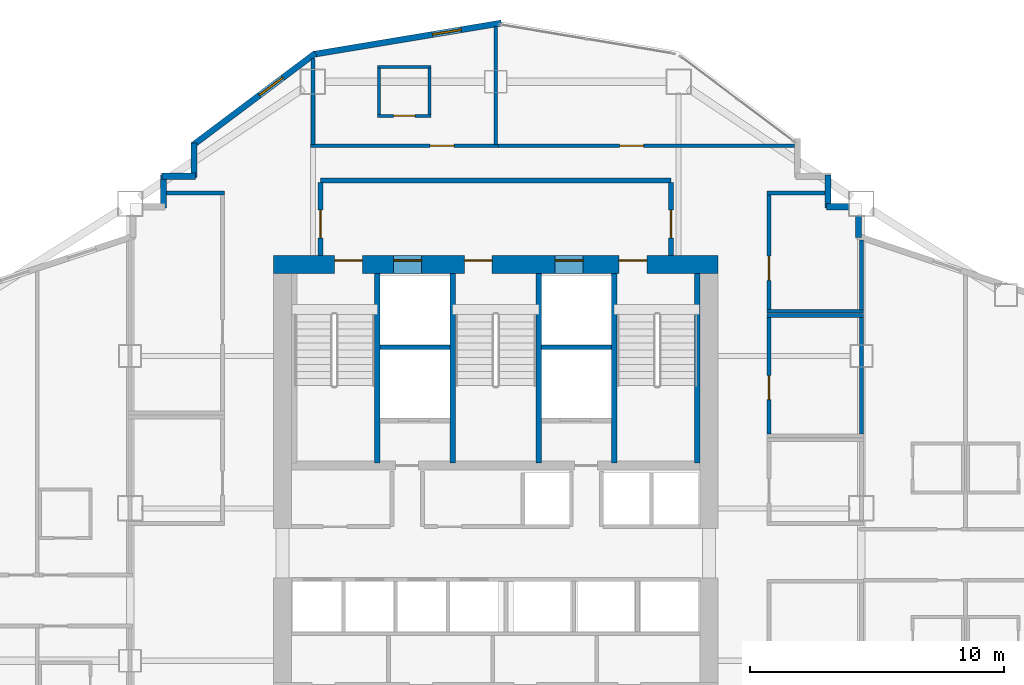
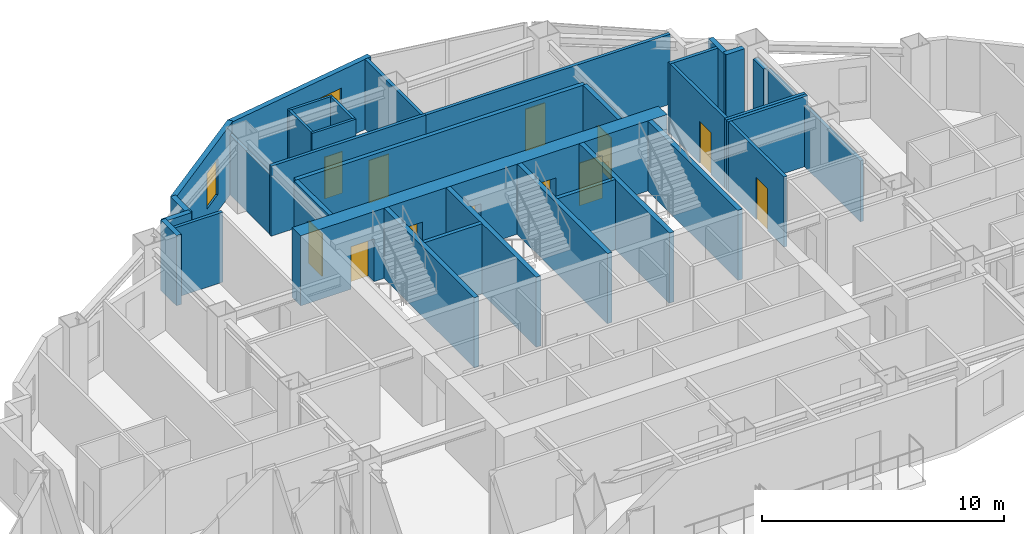
# One storey, part 12 of 15: 35 walls, 12 doors, 2 windows, 14 openings.
"""IFC4 building model written with IfcOpenShell, lengths in metres."""

import ifcopenshell
import ifcopenshell.guid

model = None  # the IFC model being written
_history = None  # IfcOwnerHistory: only IFC2X3 demands one
_inside = {}  # id of a spatial element -> (the spatial element, [elements in it])
_under = {}  # id of a project, library or spatial element -> (it, [spatial elements below it])
_declared = {}  # id of a project -> (the project, [libraries it declares])
_typed = {}  # id of a type object -> (the type object, [elements of that type])
_made_of = {}  # id of a material, layer set ... -> (it, [elements and type objects made of it])


def new_model(schema):
    """Start an empty IFC model of exactly this schema.

    Asked for "IFC4X3", IfcOpenShell would pick the latest addendum, in which some entities
    have other attributes; the version numbers below select the first issue.
    IFC2X3 requires an IfcOwnerHistory on every rooted entity: one is made here for all.
    """
    global model, _history
    if schema == "IFC4X3":
        model = ifcopenshell.file(schema_version=(4, 3, 0, 0))
    else:
        model = ifcopenshell.file(schema=schema)
    _inside.clear()
    _under.clear()
    _declared.clear()
    _typed.clear()
    _made_of.clear()
    _history = None
    if model.schema == "IFC2X3":
        org = make("IfcOrganization", Name="unknown")
        user = make(
            "IfcPersonAndOrganization",
            ThePerson=make("IfcPerson", FamilyName="unknown"),
            TheOrganization=org,
        )
        app = make(
            "IfcApplication",
            ApplicationDeveloper=org,
            Version="unknown",
            ApplicationFullName="unknown",
            ApplicationIdentifier="unknown",
        )
        _history = make(
            "IfcOwnerHistory",
            OwningUser=user,
            OwningApplication=app,
            ChangeAction="ADDED",
            CreationDate=0,
        )
    return model


def make(cls, **values):
    """One entity of the class cls with the attributes given. An attribute that is None is left unset."""
    return model.create_entity(
        cls, **{name: value for name, value in values.items() if value is not None}
    )


def rooted(cls, **values):
    """An entity with a GlobalId (a new one), such as an element, a storey or a relation."""
    return make(cls, GlobalId=ifcopenshell.guid.new(), OwnerHistory=_history, **values)


def si_unit(unit_type, name, prefix=None):
    """IfcSIUnit, for example si_unit("LENGTHUNIT", "METRE", prefix="MILLI")."""
    return make("IfcSIUnit", UnitType=unit_type, Prefix=prefix, Name=name)


def assignment(units):
    """IfcUnitAssignment: the units of a project."""
    return None if units is None else make("IfcUnitAssignment", Units=units)


def point(xyz):
    """IfcCartesianPoint."""
    return None if xyz is None else make("IfcCartesianPoint", Coordinates=xyz)


def direction(xyz):
    """IfcDirection."""
    return None if xyz is None else make("IfcDirection", DirectionRatios=xyz)


def frame(location, z_axis=None, x_axis=None):
    """IfcAxis2Placement3D, a coordinate frame: its origin and axes. An axis left out is left unset."""
    return make(
        "IfcAxis2Placement3D",
        Location=point(location),
        Axis=direction(z_axis),
        RefDirection=direction(x_axis),
    )


def frame_2d(location, x_axis=None):
    """IfcAxis2Placement2D, a coordinate frame in the plane: its origin and x axis."""
    return make(
        "IfcAxis2Placement2D", Location=point(location), RefDirection=direction(x_axis)
    )


def origin():
    """The frame at (0, 0, 0) with its axes left unset."""
    return frame((0.0, 0.0, 0.0))


def place(relative_to, where):
    """IfcLocalPlacement: puts the frame where relative to a parent placement (None: the world)."""
    return make(
        "IfcLocalPlacement", PlacementRelTo=relative_to, RelativePlacement=where
    )


def context(
    kind, dimensions, precision=None, world=None, true_north=None, identifier=None
):
    """IfcGeometricRepresentationContext, for example the 3D "Model" context."""
    return make(
        "IfcGeometricRepresentationContext",
        ContextIdentifier=identifier,
        ContextType=kind,
        CoordinateSpaceDimension=dimensions,
        Precision=precision,
        WorldCoordinateSystem=world,
        TrueNorth=true_north,
    )


def subcontext(parent, identifier, kind, view, scale=None):
    """IfcGeometricRepresentationSubContext, for example "Body" below "Model"."""
    return make(
        "IfcGeometricRepresentationSubContext",
        ContextIdentifier=identifier,
        ContextType=kind,
        ParentContext=parent,
        TargetScale=scale,
        TargetView=view,
    )


def project(units=None, contexts=None):
    """IfcProject with its units and contexts."""
    return rooted(
        "IfcProject",
        Name="project",
        RepresentationContexts=contexts,
        UnitsInContext=assignment(units),
    )


def spatial(cls, under=None, at=None, **own):
    """A site, building, storey or space (cls), placed at a placement, below another one or the project."""
    s = rooted(cls, ObjectPlacement=at, **own)
    if under is not None:
        _under.setdefault(under.id(), (under, []))[1].append(s)
    return s


def profile(cls, at=None, kind="AREA", **sizes):
    """A parametric profile (cls). Its sizes go by their IFC names, for example OverallWidth=200.0."""
    return make(cls, ProfileType=kind, Position=at, **sizes)


def rectangle(**sizes):
    """IfcRectangleProfileDef."""
    return profile("IfcRectangleProfileDef", **sizes)


def extrude(swept, where, along, depth):
    """IfcExtrudedAreaSolid: the profile swept, set in the frame where, extruded along a direction by depth."""
    return make(
        "IfcExtrudedAreaSolid",
        SweptArea=swept,
        Position=where,
        ExtrudedDirection=direction(along),
        Depth=depth,
    )


def shape(context_of_items, identifier, shape_type, items):
    """IfcShapeRepresentation: the items that make up one representation, for example the "Body"."""
    return make(
        "IfcShapeRepresentation",
        ContextOfItems=context_of_items,
        RepresentationIdentifier=identifier,
        RepresentationType=shape_type,
        Items=items,
    )


def material(Name=None, Category=None):
    """IfcMaterial."""
    return make("IfcMaterial", Name=Name, Category=Category)


def layer(
    of_material, thickness, ventilated=None, Name=None, Category=None, Priority=None
):
    """IfcMaterialLayer: one layer of a wall or slab, of a material (None: an air gap)."""
    return make(
        "IfcMaterialLayer",
        Material=of_material,
        LayerThickness=thickness,
        IsVentilated=ventilated,
        Name=Name,
        Category=Category,
        Priority=Priority,
    )


def layer_set(layers, Name=None):
    """IfcMaterialLayerSet."""
    return make("IfcMaterialLayerSet", MaterialLayers=layers, LayerSetName=Name)


def made_of(thing, what):
    """Note that an element or type object is made of a material, layer set ...; save() writes the relation."""
    if what is not None:
        _made_of.setdefault(what.id(), (what, []))[1].append(thing)
    return thing


def type_object(cls, material=None, **own):
    """A type object (cls), such as IfcWallType, which elements share."""
    return made_of(rooted(cls, **own), material)


def element(
    cls,
    number,
    at=None,
    inside=None,
    cuts=None,
    type_object=None,
    material=None,
    context=None,
    identifier="Body",
    shape_type=None,
    held_by="IfcProductDefinitionShape",
    body=None,
    shapes=None,
    **own,
):
    """One element of the class cls, such as IfcWall. Its Tag is "e" and its number.

    at: its placement. inside: the storey or other place that contains it. cuts: it is an
    opening in that element (IfcRelVoidsElement). A single representation is given by context,
    identifier, shape_type and body (its items); several are given by shapes. held_by: the class
    of the entity that holds the representations. save() writes the other relations.
    """
    e = rooted(cls, Tag="e%d" % number, ObjectPlacement=at, **own)
    if body is not None:
        shapes = [shape(context, identifier, shape_type, body)]
    if shapes is not None:
        e.Representation = make(held_by, Representations=shapes)
    if inside is not None:
        _inside.setdefault(inside.id(), (inside, []))[1].append(e)
    if cuts is not None:
        rooted(
            "IfcRelVoidsElement", RelatingBuildingElement=cuts, RelatedOpeningElement=e
        )
    if type_object is not None:
        _typed.setdefault(type_object.id(), (type_object, []))[1].append(e)
    return made_of(e, material)


def fill(opening, filler):
    """IfcRelFillsElement: the door or window that sits in an opening."""
    return rooted(
        "IfcRelFillsElement",
        RelatingOpeningElement=opening,
        RelatedBuildingElement=filler,
    )


def aggregate(whole, parts):
    """IfcRelAggregates: a whole, such as a stair, and the parts it consists of."""
    return rooted("IfcRelAggregates", RelatingObject=whole, RelatedObjects=parts)


def save(model, path):
    """Write the relations noted so far, then the file.

    IfcRelAggregates (storeys below a building ...), IfcRelContainedInSpatialStructure (elements
    in a storey), IfcRelDefinesByType, IfcRelAssociatesMaterial and IfcRelDeclares: one each for
    every whole, place, type object, material and project.
    """
    for whole, parts in _under.values():
        aggregate(whole, parts)
    for where, things in _inside.values():
        rooted(
            "IfcRelContainedInSpatialStructure",
            RelatedElements=things,
            RelatingStructure=where,
        )
    for kind, things in _typed.values():
        rooted("IfcRelDefinesByType", RelatedObjects=things, RelatingType=kind)
    for what, things in _made_of.values():
        rooted("IfcRelAssociatesMaterial", RelatedObjects=things, RelatingMaterial=what)
    for by, libraries in _declared.values():
        rooted("IfcRelDeclares", RelatingContext=by, RelatedDefinitions=libraries)
    model.write(path)


model = new_model("IFC4")

# Units and contexts
model_context = context("Model", 3, precision=1e-05, world=origin(), true_north=direction((0.0, 1.0)))
body_context = subcontext(model_context, "Body", "Model", "MODEL_VIEW")
ifc_project = project(units=[si_unit("LENGTHUNIT", "METRE"), si_unit("AREAUNIT", "SQUARE_METRE"), si_unit("VOLUMEUNIT", "CUBIC_METRE"), si_unit("PLANEANGLEUNIT", "RADIAN"), si_unit("MASSUNIT", "GRAM", prefix="KILO")], contexts=[model_context])

# Site, building, storey
site_placement = place(None, origin())
site = spatial("IfcSite", under=ifc_project, at=site_placement, CompositionType="ELEMENT")
building_placement = place(site_placement, origin())
building = spatial("IfcBuilding", under=site, at=building_placement, Name="Haolan Belvedere Tower", CompositionType="ELEMENT")
storey_placement = place(building_placement, frame((0.0, 0.0, 156.199951171875)))
storey = spatial("IfcBuildingStorey", under=building, at=storey_placement, Name="L39", CompositionType="ELEMENT", Elevation=156.199951171875)

# Wall, openings, doors
ifc_material_1 = material(Name="Concrete C60/75", Category="concrete")
ifc_layer_1 = layer(ifc_material_1, 0.699951171875, Name="Concrete C60/75")
ifc_layer_set_1 = layer_set([ifc_layer_1], Name="Concrete C60/75")
wall_type_1 = type_object("IfcWallType", Name="WL-CORE-700", PredefinedType="SHEAR", material=ifc_layer_set_1)
wall_1_placement = place(storey_placement, frame((29.64990234375, 43.199951171875, 0.0), z_axis=(0.0, 0.0, 1.0), x_axis=(1.0, 0.0, 0.0)))
wall_1 = element("IfcWall", 1, at=wall_1_placement, inside=storey, type_object=wall_type_1, Name="L39 central core north shear wall", PredefinedType="SHEAR", context=body_context, shape_type="SweptSolid", body=[
    extrude(rectangle(XDim=17.5, YDim=0.699951171875, at=frame_2d((8.75, 0.0))), origin(), (0.0, 0.0, 1.0), 3.5400390625),
])
opening_1_placement = place(wall_1_placement, frame((2.39990234375, 0.0, 0.0)))
opening_1 = element("IfcOpeningElement", 2, at=opening_1_placement, cuts=wall_1, Name="Opening FD-03", PredefinedType="OPENING", context=body_context, shape_type="SweptSolid", body=[
    extrude(rectangle(XDim=1.10009765625, YDim=2.14990234375, at=frame_2d((0.550048828125, 1.074951171875))), frame((0.0, 0.35986328125, 0.0), z_axis=(0.0, -1.0, 0.0), x_axis=(1.0, 0.0, 0.0)), (0.0, 0.0, 1.0), 0.719970703125),
])
opening_2_placement = place(wall_1_placement, frame((7.510009765625, 0.0, 0.0)))
opening_2 = element("IfcOpeningElement", 3, at=opening_2_placement, cuts=wall_1, Name="Opening FD-03", PredefinedType="OPENING", context=body_context, shape_type="SweptSolid", body=[
    extrude(rectangle(XDim=1.10009765625, YDim=2.14990234375, at=frame_2d((0.550048828125, 1.074951171875))), frame((0.0, 0.35986328125, 0.0), z_axis=(0.0, -1.0, 0.0), x_axis=(1.0, 0.0, 0.0)), (0.0, 0.0, 1.0), 0.719970703125),
])
opening_3_placement = place(wall_1_placement, frame((13.60009765625, 0.0, 0.0)))
opening_3 = element("IfcOpeningElement", 4, at=opening_3_placement, cuts=wall_1, Name="Opening FD-03", PredefinedType="OPENING", context=body_context, shape_type="SweptSolid", body=[
    extrude(rectangle(XDim=1.10009765625, YDim=2.14990234375, at=frame_2d((0.550048828125, 1.074951171875))), frame((0.0, 0.35986328125, 0.0), z_axis=(0.0, -1.0, 0.0), x_axis=(1.0, 0.0, 0.0)), (0.0, 0.0, 1.0), 0.719970703125),
])
opening_4_placement = place(wall_1_placement, frame((4.72998046875, 0.0, 0.0)))
opening_4 = element("IfcOpeningElement", 5, at=opening_4_placement, cuts=wall_1, Name="Opening LD-01", PredefinedType="OPENING", context=body_context, shape_type="SweptSolid", body=[
    extrude(rectangle(XDim=1.10009765625, YDim=2.199951171875, at=frame_2d((0.550048828125, 1.10009765625))), frame((0.0, 0.35986328125, 0.0), z_axis=(0.0, -1.0, 0.0), x_axis=(1.0, 0.0, 0.0)), (0.0, 0.0, 1.0), 0.719970703125),
])
opening_5_placement = place(wall_1_placement, frame((11.090087890625, 0.0, 0.0)))
opening_5 = element("IfcOpeningElement", 6, at=opening_5_placement, cuts=wall_1, Name="Opening LD-01", PredefinedType="OPENING", context=body_context, shape_type="SweptSolid", body=[
    extrude(rectangle(XDim=1.10009765625, YDim=2.199951171875, at=frame_2d((0.550048828125, 1.10009765625))), frame((0.0, 0.35986328125, 0.0), z_axis=(0.0, -1.0, 0.0), x_axis=(1.0, 0.0, 0.0)), (0.0, 0.0, 1.0), 0.719970703125),
])
ifc_material_2 = material(Name="Galvanised fire-rated steel", Category="steel")
door_type_1 = type_object("IfcDoorType", Name="DR-FD90-1100", OperationType="NOTDEFINED", PredefinedType="DOOR", material=ifc_material_2)
door_1_placement = place(opening_1_placement, origin())
door_1 = element("IfcDoor", 7, at=door_1_placement, inside=storey, type_object=door_type_1, Name="L39 door CD-L39-ST1", OperationType="SINGLE_SWING_LEFT", OverallHeight=2.14990234375, OverallWidth=1.10009765625, PredefinedType="DOOR", context=body_context, shape_type="SweptSolid", body=[
    extrude(rectangle(XDim=1.10009765625, YDim=2.14990234375, at=frame_2d((0.550048828125, 1.074951171875))), frame((0.0, 0.18505859375, 0.0), z_axis=(0.0, -1.0, 0.0), x_axis=(1.0, 0.0, 0.0)), (0.0, 0.0, 1.0), 0.050048828125),
])
fill(opening_1, door_1)
door_2_placement = place(opening_2_placement, origin())
door_2 = element("IfcDoor", 8, at=door_2_placement, inside=storey, type_object=door_type_1, Name="L39 door CD-L39-ST3", OperationType="SINGLE_SWING_LEFT", OverallHeight=2.14990234375, OverallWidth=1.10009765625, PredefinedType="DOOR", context=body_context, shape_type="SweptSolid", body=[
    extrude(rectangle(XDim=1.10009765625, YDim=2.14990234375, at=frame_2d((0.550048828125, 1.074951171875))), frame((0.0, 0.18505859375, 0.0), z_axis=(0.0, -1.0, 0.0), x_axis=(1.0, 0.0, 0.0)), (0.0, 0.0, 1.0), 0.050048828125),
])
fill(opening_2, door_2)
door_3_placement = place(opening_3_placement, origin())
door_3 = element("IfcDoor", 9, at=door_3_placement, inside=storey, type_object=door_type_1, Name="L39 door CD-L39-ST2", OperationType="SINGLE_SWING_RIGHT", OverallHeight=2.14990234375, OverallWidth=1.10009765625, PredefinedType="DOOR", context=body_context, shape_type="SweptSolid", body=[
    extrude(rectangle(XDim=1.10009765625, YDim=2.14990234375, at=frame_2d((0.550048828125, 1.074951171875))), frame((0.0, 0.18505859375, 0.0), z_axis=(0.0, -1.0, 0.0), x_axis=(1.0, 0.0, 0.0)), (0.0, 0.0, 1.0), 0.050048828125),
])
fill(opening_3, door_3)
ifc_material_3 = material(Name="Brushed champagne stainless steel 316L", Category="steel")
door_type_2 = type_object("IfcDoorType", Name="DR-LIFT-1100", OperationType="SLIDING_TO_LEFT", PredefinedType="DOOR", material=ifc_material_3)
door_4_placement = place(opening_4_placement, origin())
door_4 = element("IfcDoor", 10, at=door_4_placement, inside=storey, type_object=door_type_2, Name="L39 door LD-L39-FF1", OperationType="SLIDING_TO_LEFT", OverallHeight=2.199951171875, OverallWidth=1.10009765625, PredefinedType="DOOR", context=body_context, shape_type="SweptSolid", body=[
    extrude(rectangle(XDim=1.10009765625, YDim=2.199951171875, at=frame_2d((0.550048828125, 1.10009765625))), frame((0.0, 0.18505859375, 0.0), z_axis=(0.0, -1.0, 0.0), x_axis=(1.0, 0.0, 0.0)), (0.0, 0.0, 1.0), 0.050048828125),
])
fill(opening_4, door_4)
door_5_placement = place(opening_5_placement, origin())
door_5 = element("IfcDoor", 11, at=door_5_placement, inside=storey, type_object=door_type_2, Name="L39 door LD-L39-FF2", OperationType="SLIDING_TO_LEFT", OverallHeight=2.199951171875, OverallWidth=1.10009765625, PredefinedType="DOOR", context=body_context, shape_type="SweptSolid", body=[
    extrude(rectangle(XDim=1.10009765625, YDim=2.199951171875, at=frame_2d((0.550048828125, 1.10009765625))), frame((0.0, 0.18505859375, 0.0), z_axis=(0.0, -1.0, 0.0), x_axis=(1.0, 0.0, 0.0)), (0.0, 0.0, 1.0), 0.050048828125),
])
fill(opening_5, door_5)

# Walls
ifc_material_4 = material(Name="Precast concrete C40/50", Category="concrete")
ifc_layer_2 = layer(ifc_material_4, 0.239990234375, Name="Precast concrete C40/50")
ifc_layer_set_2 = layer_set([ifc_layer_2], Name="Precast concrete C40/50")
wall_type_2 = type_object("IfcWallType", Name="WL-EXT-240", PredefinedType="SOLIDWALL", material=ifc_layer_set_2)
wall_2_placement = place(storey_placement, frame((52.679931640625, 44.258544921875, 0.0), z_axis=(0.0, 0.0, 1.0), x_axis=(0.0, 1.0, 0.0)))
element("IfcWall", 12, at=wall_2_placement, inside=storey, type_object=wall_type_2, Name="L39 pale-metal exterior spandrel wall 21.1", PredefinedType="SOLIDWALL", context=body_context, shape_type="SweptSolid", body=[
    extrude(rectangle(XDim=0.849365234375, YDim=0.239990234375, at=frame_2d((0.4248046875, 0.0))), origin(), (0.0, 0.0, 1.0), 3.0849609375),
])
wall_3_placement = place(storey_placement, frame((52.30810546875, 45.47998046875, 0.0), z_axis=(0.0, 0.0, 1.0), x_axis=(-1.0, 0.0, 0.0)))
element("IfcWall", 13, at=wall_3_placement, inside=storey, type_object=wall_type_2, Name="L39 pale-metal exterior spandrel wall 22.1", PredefinedType="SOLIDWALL", context=body_context, shape_type="SweptSolid", body=[
    extrude(rectangle(XDim=0.883056640625, YDim=0.239990234375, at=frame_2d((0.44140625, 0.0))), origin(), (0.0, 0.0, 1.0), 3.5400390625),
])
wall_4_placement = place(storey_placement, frame((51.47998046875, 45.425048828125, 0.0), z_axis=(0.0, 0.0, 1.0), x_axis=(0.0, 1.0, 0.0)))
element("IfcWall", 14, at=wall_4_placement, inside=storey, type_object=wall_type_2, Name="L39 pale-metal exterior spandrel wall 23.1", PredefinedType="SOLIDWALL", context=body_context, shape_type="SweptSolid", body=[
    extrude(rectangle(XDim=1.31005859375, YDim=0.239990234375, at=frame_2d((0.655029296875, 0.0))), origin(), (0.0, 0.0, 1.0), 3.5400390625),
])

# Wall, opening, window
wall_5_placement = place(storey_placement, frame((38.621826171875, 52.71533203125, 0.0), z_axis=(0.0, 0.0, 1.0), x_axis=(-0.98639129485, -0.164414760418, 0.0)))
wall_5 = element("IfcWall", 15, at=wall_5_placement, inside=storey, type_object=wall_type_2, Name="L39 pale-metal exterior spandrel wall 28.1", PredefinedType="SOLIDWALL", context=body_context, shape_type="SweptSolid", body=[
    extrude(rectangle(XDim=7.530029296875, YDim=0.239990234375, at=frame_2d((3.76513671875, 0.0))), origin(), (0.0, 0.0, 1.0), 3.5400390625),
])
opening_6_placement = place(wall_5_placement, frame((1.60009765625, 0.0, 0.85009765625)))
opening_6 = element("IfcOpeningElement", 16, at=opening_6_placement, cuts=wall_5, Name="Opening W-02", PredefinedType="OPENING", context=body_context, shape_type="SweptSolid", body=[
    extrude(rectangle(XDim=1.14990234375, YDim=1.800048828125, at=frame_2d((0.574951171875, 0.89990234375))), frame((0.0, 0.1298828125, 0.0), z_axis=(0.0, -1.0, 0.0), x_axis=(1.0, 0.0, 0.0)), (0.0, 0.0, 1.0), 0.260009765625),
])
ifc_material_5 = material(Name="Anodised aluminium 6063-T6 and Low-E glass", Category="aluminium")
window_type = type_object("IfcWindowType", Name="WN-DECO-Z2", PartitioningType="SINGLE_PANEL", PredefinedType="WINDOW", material=ifc_material_5)
window_1_placement = place(opening_6_placement, origin())
window_1 = element("IfcWindow", 17, at=window_1_placement, inside=storey, type_object=window_type, Name="L39 Art Deco chevron window 1", OverallHeight=1.800048828125, OverallWidth=1.14990234375, PartitioningType="SINGLE_PANEL", PredefinedType="WINDOW", context=body_context, shape_type="SweptSolid", body=[
    extrude(rectangle(XDim=1.14990234375, YDim=1.800048828125, at=frame_2d((0.574951171875, 0.89990234375))), frame((0.0, 0.030029296875, 0.0), z_axis=(0.0, -1.0, 0.0), x_axis=(1.0, 0.0, 0.0)), (0.0, 0.0, 1.0), 0.06005859375),
])
fill(opening_6, window_1)

wall_6_placement = place(storey_placement, frame((31.29248046875, 51.519287109375, 0.0), z_axis=(0.0, 0.0, 1.0), x_axis=(-0.8, -0.6, 0.0)))
wall_6 = element("IfcWall", 18, at=wall_6_placement, inside=storey, type_object=wall_type_2, Name="L39 pale-metal exterior spandrel wall 29.1", PredefinedType="SOLIDWALL", context=body_context, shape_type="SweptSolid", body=[
    extrude(rectangle(XDim=6.0205078125, YDim=0.239990234375, at=frame_2d((3.01025390625, 0.0))), origin(), (0.0, 0.0, 1.0), 3.5400390625),
])
opening_7_placement = place(wall_6_placement, frame((1.60009765625, 0.0, 0.85009765625)))
opening_7 = element("IfcOpeningElement", 19, at=opening_7_placement, cuts=wall_6, Name="Opening W-02", PredefinedType="OPENING", context=body_context, shape_type="SweptSolid", body=[
    extrude(rectangle(XDim=1.14990234375, YDim=1.800048828125, at=frame_2d((0.574951171875, 0.89990234375))), frame((0.0, 0.1298828125, 0.0), z_axis=(0.0, -1.0, 0.0), x_axis=(1.0, 0.0, 0.0)), (0.0, 0.0, 1.0), 0.260009765625),
])
window_2_placement = place(opening_7_placement, origin())
window_2 = element("IfcWindow", 20, at=window_2_placement, inside=storey, type_object=window_type, Name="L39 Art Deco chevron window 1", OverallHeight=1.800048828125, OverallWidth=1.14990234375, PartitioningType="SINGLE_PANEL", PredefinedType="WINDOW", context=body_context, shape_type="SweptSolid", body=[
    extrude(rectangle(XDim=1.14990234375, YDim=1.800048828125, at=frame_2d((0.574951171875, 0.89990234375))), frame((0.0, 0.030029296875, 0.0), z_axis=(0.0, -1.0, 0.0), x_axis=(1.0, 0.0, 0.0)), (0.0, 0.0, 1.0), 0.06005859375),
])
fill(opening_7, window_2)

# Walls
wall_7_placement = place(storey_placement, frame((26.52001953125, 47.9951171875, 0.0), z_axis=(0.0, 0.0, 1.0), x_axis=(0.0, -1.0, 0.0)))
element("IfcWall", 21, at=wall_7_placement, inside=storey, type_object=wall_type_2, Name="L39 pale-metal exterior spandrel wall 30.1", PredefinedType="SOLIDWALL", context=body_context, shape_type="SweptSolid", body=[
    extrude(rectangle(XDim=1.3701171875, YDim=0.239990234375, at=frame_2d((0.68505859375, 0.0))), origin(), (0.0, 0.0, 1.0), 3.5400390625),
])
for number, where, z_axis, x_axis, name in (
    (22, (26.574951171875, 46.679931640625, 0.0), (0.0, 0.0, 1.0), (-1.0, 0.0, 0.0), "L39 pale-metal exterior spandrel wall 31.1"),
    (23, (25.320068359375, 46.735107421875, 0.0), (0.0, 0.0, 1.0), (0.0, -1.0, 0.0), "L39 pale-metal exterior spandrel wall 32.1"),
):
    element("IfcWall", number, at=place(storey_placement, frame(where, z_axis=z_axis, x_axis=x_axis)), inside=storey, type_object=wall_type_2, Name=name, PredefinedType="SOLIDWALL", context=body_context, shape_type="SweptSolid", body=[
        extrude(rectangle(XDim=1.31005859375, YDim=0.239990234375, at=frame_2d((0.655029296875, 0.0))), origin(), (0.0, 0.0, 1.0), 3.5400390625),
    ])
ifc_material_6 = material(Name="Concrete C40/50", Category="concrete")
ifc_layer_3 = layer(ifc_material_6, 0.199951171875, Name="Concrete C40/50")
ifc_layer_set_3 = layer_set([ifc_layer_3], Name="Concrete C40/50")
wall_type_3 = type_object("IfcWallType", Name="WL-FIRE-200", PredefinedType="SOLIDWALL", material=ifc_layer_set_3)
wall_8_placement = place(storey_placement, frame((31.5, 46.52001953125, 0.0), z_axis=(0.0, 0.0, 1.0), x_axis=(1.0, 0.0, 0.0)))
element("IfcWall", 24, at=wall_8_placement, inside=storey, type_object=wall_type_3, Name="L39 interior partition IW-L39-FFL-N", PredefinedType="SOLIDWALL", context=body_context, shape_type="SweptSolid", body=[
    extrude(rectangle(XDim=13.800048828125, YDim=0.199951171875, at=frame_2d((6.89990234375, 0.0))), origin(), (0.0, 0.0, 1.0), 3.5400390625),
])

# Wall, opening, door
wall_9_placement = place(storey_placement, frame((31.5, 43.550048828125, 0.0), z_axis=(0.0, 0.0, 1.0), x_axis=(0.0, 1.0, 0.0)))
wall_9 = element("IfcWall", 25, at=wall_9_placement, inside=storey, type_object=wall_type_3, Name="L39 interior partition IW-L39-FFL-W", PredefinedType="SOLIDWALL", context=body_context, shape_type="SweptSolid", body=[
    extrude(rectangle(XDim=2.885009765625, YDim=0.199951171875, at=frame_2d((1.4423828125, 0.0))), origin(), (0.0, 0.0, 1.0), 3.5400390625),
])
opening_8_placement = place(wall_9_placement, frame((1.800048828125, 0.0, 0.0), z_axis=(0.0, 0.0, 1.0), x_axis=(-1.0, 0.0, 0.0)))
opening_8 = element("IfcOpeningElement", 26, at=opening_8_placement, cuts=wall_9, Name="Opening FD-03", PredefinedType="OPENING", context=body_context, shape_type="SweptSolid", body=[
    extrude(rectangle(XDim=1.10009765625, YDim=2.14990234375, at=frame_2d((0.550048828125, 1.074951171875))), frame((0.0, 0.10986328125, 0.0), z_axis=(0.0, -1.0, 0.0), x_axis=(1.0, 0.0, 0.0)), (0.0, 0.0, 1.0), 0.219970703125),
])
door_6_placement = place(opening_8_placement, origin())
door_6 = element("IfcDoor", 27, at=door_6_placement, inside=storey, type_object=door_type_1, Name="L39 door ID-L39-FFL-DW", OperationType="SINGLE_SWING_LEFT", OverallHeight=2.14990234375, OverallWidth=1.10009765625, PredefinedType="DOOR", context=body_context, shape_type="SweptSolid", body=[
    extrude(rectangle(XDim=1.10009765625, YDim=2.14990234375, at=frame_2d((0.550048828125, 1.074951171875))), frame((0.0, 0.02490234375, 0.0), z_axis=(0.0, -1.0, 0.0), x_axis=(1.0, 0.0, 0.0)), (0.0, 0.0, 1.0), 0.050048828125),
])
fill(opening_8, door_6)

wall_10_placement = place(storey_placement, frame((45.300048828125, 43.550048828125, 0.0), z_axis=(0.0, 0.0, 1.0), x_axis=(0.0, 1.0, 0.0)))
wall_10 = element("IfcWall", 28, at=wall_10_placement, inside=storey, type_object=wall_type_3, Name="L39 interior partition IW-L39-FFL-E", PredefinedType="SOLIDWALL", context=body_context, shape_type="SweptSolid", body=[
    extrude(rectangle(XDim=2.885009765625, YDim=0.199951171875, at=frame_2d((1.4423828125, 0.0))), origin(), (0.0, 0.0, 1.0), 3.5400390625),
])
opening_9_placement = place(wall_10_placement, frame((0.699951171875, 0.0, 0.0)))
opening_9 = element("IfcOpeningElement", 29, at=opening_9_placement, cuts=wall_10, Name="Opening FD-03", PredefinedType="OPENING", context=body_context, shape_type="SweptSolid", body=[
    extrude(rectangle(XDim=1.10009765625, YDim=2.14990234375, at=frame_2d((0.550048828125, 1.074951171875))), frame((0.0, 0.10986328125, 0.0), z_axis=(0.0, -1.0, 0.0), x_axis=(1.0, 0.0, 0.0)), (0.0, 0.0, 1.0), 0.219970703125),
])
door_7_placement = place(opening_9_placement, origin())
door_7 = element("IfcDoor", 30, at=door_7_placement, inside=storey, type_object=door_type_1, Name="L39 door ID-L39-FFL-DE", OperationType="SINGLE_SWING_RIGHT", OverallHeight=2.14990234375, OverallWidth=1.10009765625, PredefinedType="DOOR", context=body_context, shape_type="SweptSolid", body=[
    extrude(rectangle(XDim=1.10009765625, YDim=2.14990234375, at=frame_2d((0.550048828125, 1.074951171875))), frame((0.0, 0.02490234375, 0.0), z_axis=(0.0, -1.0, 0.0), x_axis=(1.0, 0.0, 0.0)), (0.0, 0.0, 1.0), 0.050048828125),
])
fill(opening_9, door_7)

# Walls
ifc_material_7 = material(Name="Double gypsum acoustic stud partition", Category="masonry")
ifc_layer_4 = layer(ifc_material_7, 0.14990234375, Name="Double gypsum acoustic stud partition")
ifc_layer_set_4 = layer_set([ifc_layer_4], Name="Double gypsum acoustic stud partition")
wall_type_4 = type_object("IfcWallType", Name="WL-PART-150", PredefinedType="PARTITIONING", material=ifc_layer_set_4)
wall_11_placement = place(storey_placement, frame((25.425048828125, 46.02001953125, 0.0), z_axis=(0.0, 0.0, 1.0), x_axis=(1.0, 0.0, 0.0)))
element("IfcWall", 31, at=wall_11_placement, inside=storey, type_object=wall_type_4, Name="L39 interior partition IW-L39-MTG-N", PredefinedType="PARTITIONING", context=body_context, shape_type="SweptSolid", body=[
    extrude(rectangle(XDim=2.294921875, YDim=0.14990234375, at=frame_2d((1.1474609375, 0.0))), origin(), (0.0, 0.0, 1.0), 3.5400390625),
])
wall_12_placement = place(storey_placement, frame((49.080078125, 41.199951171875, 0.0), z_axis=(0.0, 0.0, 1.0), x_axis=(1.0, 0.0, 0.0)))
element("IfcWall", 32, at=wall_12_placement, inside=storey, type_object=wall_type_4, Name="L39 interior partition IW-L39-STY-N", PredefinedType="PARTITIONING", context=body_context, shape_type="SweptSolid", body=[
    extrude(rectangle(XDim=3.7998046875, YDim=0.14990234375, at=frame_2d((1.89990234375, 0.0))), origin(), (0.0, 0.0, 1.0), 3.5400390625),
])

# Wall, opening, door
wall_13_placement = place(storey_placement, frame((49.159912109375, 36.52001953125, 0.0), z_axis=(0.0, 0.0, 1.0), x_axis=(0.0, 1.0, 0.0)))
wall_13 = element("IfcWall", 33, at=wall_13_placement, inside=storey, type_object=wall_type_4, Name="L39 interior partition IW-L39-STY-W", PredefinedType="PARTITIONING", context=body_context, shape_type="SweptSolid", body=[
    extrude(rectangle(XDim=4.619873046875, YDim=0.14990234375, at=frame_2d((2.31005859375, 0.0))), origin(), (0.0, 0.0, 1.0), 3.5400390625),
])
opening_10_placement = place(wall_13_placement, frame((1.360107421875, 0.0, 0.0)))
opening_10 = element("IfcOpeningElement", 34, at=opening_10_placement, cuts=wall_13, Name="Opening ID-03", PredefinedType="OPENING", context=body_context, shape_type="SweptSolid", body=[
    extrude(rectangle(XDim=0.949951171875, YDim=2.1201171875, at=frame_2d((0.47509765625, 1.06005859375))), frame((0.0, 0.0849609375, 0.0), z_axis=(0.0, -1.0, 0.0), x_axis=(1.0, 0.0, 0.0)), (0.0, 0.0, 1.0), 0.169921875),
])
ifc_material_8 = material(Name="Painted solid-core timber", Category="wood")
door_type_3 = type_object("IfcDoorType", Name="DR-INT-950", OperationType="NOTDEFINED", PredefinedType="DOOR", material=ifc_material_8)
door_8_placement = place(opening_10_placement, origin())
door_8 = element("IfcDoor", 35, at=door_8_placement, inside=storey, type_object=door_type_3, Name="L39 door ID-L39-STY", OperationType="SINGLE_SWING_RIGHT", OverallHeight=2.1201171875, OverallWidth=0.949951171875, PredefinedType="DOOR", context=body_context, shape_type="SweptSolid", body=[
    extrude(rectangle(XDim=0.949951171875, YDim=2.1201171875, at=frame_2d((0.47509765625, 1.06005859375))), frame((0.0, 0.02490234375, 0.0), z_axis=(0.0, -1.0, 0.0), x_axis=(1.0, 0.0, 0.0)), (0.0, 0.0, 1.0), 0.050048828125),
])
fill(opening_10, door_8)

# Walls
wall_14_placement = place(storey_placement, frame((52.800048828125, 36.52001953125, 0.0), z_axis=(0.0, 0.0, 1.0), x_axis=(0.0, 1.0, 0.0)))
element("IfcWall", 36, at=wall_14_placement, inside=storey, type_object=wall_type_4, Name="L39 interior partition IW-L39-STY-E", PredefinedType="PARTITIONING", context=body_context, shape_type="SweptSolid", body=[
    extrude(rectangle(XDim=4.619873046875, YDim=0.14990234375, at=frame_2d((2.31005859375, 0.0))), origin(), (0.0, 0.0, 1.0), 3.0849609375),
])
wall_15_placement = place(storey_placement, frame((49.080078125, 46.02001953125, 0.0), z_axis=(0.0, 0.0, 1.0), x_axis=(1.0, 0.0, 0.0)))
element("IfcWall", 37, at=wall_15_placement, inside=storey, type_object=wall_type_4, Name="L39 interior partition IW-L39-PNT-N", PredefinedType="PARTITIONING", context=body_context, shape_type="SweptSolid", body=[
    extrude(rectangle(XDim=2.294921875, YDim=0.14990234375, at=frame_2d((1.1474609375, 0.0))), origin(), (0.0, 0.0, 1.0), 3.5400390625),
])
wall_16_placement = place(storey_placement, frame((49.080078125, 41.360107421875, 0.0), z_axis=(0.0, 0.0, 1.0), x_axis=(1.0, 0.0, 0.0)))
element("IfcWall", 38, at=wall_16_placement, inside=storey, type_object=wall_type_4, Name="L39 interior partition IW-L39-PNT-S", PredefinedType="PARTITIONING", context=body_context, shape_type="SweptSolid", body=[
    extrude(rectangle(XDim=3.7998046875, YDim=0.14990234375, at=frame_2d((1.89990234375, 0.0))), origin(), (0.0, 0.0, 1.0), 3.5400390625),
])

# Wall, opening, door
wall_17_placement = place(storey_placement, frame((49.159912109375, 41.419921875, 0.0), z_axis=(0.0, 0.0, 1.0), x_axis=(0.0, 1.0, 0.0)))
wall_17 = element("IfcWall", 39, at=wall_17_placement, inside=storey, type_object=wall_type_4, Name="L39 interior partition IW-L39-PNT-W", PredefinedType="PARTITIONING", context=body_context, shape_type="SweptSolid", body=[
    extrude(rectangle(XDim=4.5400390625, YDim=0.14990234375, at=frame_2d((2.27001953125, 0.0))), origin(), (0.0, 0.0, 1.0), 3.5400390625),
])
opening_11_placement = place(wall_17_placement, frame((1.159912109375, 0.0, 0.0)))
opening_11 = element("IfcOpeningElement", 40, at=opening_11_placement, cuts=wall_17, Name="Opening ID-03", PredefinedType="OPENING", context=body_context, shape_type="SweptSolid", body=[
    extrude(rectangle(XDim=0.949951171875, YDim=2.1201171875, at=frame_2d((0.47509765625, 1.06005859375))), frame((0.0, 0.0849609375, 0.0), z_axis=(0.0, -1.0, 0.0), x_axis=(1.0, 0.0, 0.0)), (0.0, 0.0, 1.0), 0.169921875),
])
door_9_placement = place(opening_11_placement, origin())
door_9 = element("IfcDoor", 41, at=door_9_placement, inside=storey, type_object=door_type_3, Name="L39 door ID-L39-PNT", OperationType="SINGLE_SWING_LEFT", OverallHeight=2.1201171875, OverallWidth=0.949951171875, PredefinedType="DOOR", context=body_context, shape_type="SweptSolid", body=[
    extrude(rectangle(XDim=0.949951171875, YDim=2.1201171875, at=frame_2d((0.47509765625, 1.06005859375))), frame((0.0, 0.02490234375, 0.0), z_axis=(0.0, -1.0, 0.0), x_axis=(1.0, 0.0, 0.0)), (0.0, 0.0, 1.0), 0.050048828125),
])
fill(opening_11, door_9)

# Wall
wall_18_placement = place(storey_placement, frame((52.800048828125, 41.419921875, 0.0), z_axis=(0.0, 0.0, 1.0), x_axis=(0.0, 1.0, 0.0)))
element("IfcWall", 42, at=wall_18_placement, inside=storey, type_object=wall_type_4, Name="L39 interior partition IW-L39-PNT-E", PredefinedType="PARTITIONING", context=body_context, shape_type="SweptSolid", body=[
    extrude(rectangle(XDim=2.742919921875, YDim=0.14990234375, at=frame_2d((1.37158203125, 0.0))), origin(), (0.0, 0.0, 1.0), 3.0849609375),
])

# Wall, opening, door
wall_19_placement = place(storey_placement, frame((31.10009765625, 47.8798828125, 0.0), z_axis=(0.0, 0.0, 1.0), x_axis=(1.0, 0.0, 0.0)))
wall_19 = element("IfcWall", 43, at=wall_19_placement, inside=storey, type_object=wall_type_4, Name="L39 interior partition IW-L39-KN2-S", PredefinedType="PARTITIONING", context=body_context, shape_type="SweptSolid", body=[
    extrude(rectangle(XDim=7.39990234375, YDim=0.14990234375, at=frame_2d((3.699951171875, 0.0))), origin(), (0.0, 0.0, 1.0), 3.5400390625),
])
opening_12_placement = place(wall_19_placement, frame((4.713623046875, 0.0, 0.0)))
opening_12 = element("IfcOpeningElement", 44, at=opening_12_placement, cuts=wall_19, Name="Opening ID-02", PredefinedType="OPENING", context=body_context, shape_type="SweptSolid", body=[
    extrude(rectangle(XDim=0.949951171875, YDim=2.14990234375, at=frame_2d((0.47509765625, 1.074951171875))), frame((0.0, 0.0849609375, 0.0), z_axis=(0.0, -1.0, 0.0), x_axis=(1.0, 0.0, 0.0)), (0.0, 0.0, 1.0), 0.169921875),
])
ifc_material_9 = material(Name="Acoustic oak veneer fire-rated timber", Category="wood")
door_type_4 = type_object("IfcDoorType", Name="DR-GUEST-950", OperationType="NOTDEFINED", PredefinedType="DOOR", material=ifc_material_9)
door_10_placement = place(opening_12_placement, origin())
door_10 = element("IfcDoor", 45, at=door_10_placement, inside=storey, type_object=door_type_4, Name="L39 door ID-L39-KN2-ENT", OperationType="SINGLE_SWING_LEFT", OverallHeight=2.14990234375, OverallWidth=0.949951171875, PredefinedType="DOOR", context=body_context, shape_type="SweptSolid", body=[
    extrude(rectangle(XDim=0.949951171875, YDim=2.14990234375, at=frame_2d((0.47509765625, 1.074951171875))), frame((0.0, 0.02490234375, 0.0), z_axis=(0.0, -1.0, 0.0), x_axis=(1.0, 0.0, 0.0)), (0.0, 0.0, 1.0), 0.050048828125),
])
fill(opening_12, door_10)

# Walls
wall_20_placement = place(storey_placement, frame((31.199951171875, 47.93994140625, 0.0), z_axis=(0.0, 0.0, 1.0), x_axis=(0.0, 1.0, 0.0)))
element("IfcWall", 46, at=wall_20_placement, inside=storey, type_object=wall_type_4, Name="L39 interior partition IW-L39-KN2-W", PredefinedType="PARTITIONING", context=body_context, shape_type="SweptSolid", body=[
    extrude(rectangle(XDim=3.378662109375, YDim=0.14990234375, at=frame_2d((1.689453125, 0.0))), origin(), (0.0, 0.0, 1.0), 3.025146484375),
])
wall_21_placement = place(storey_placement, frame((38.39990234375, 47.93994140625, 0.0), z_axis=(0.0, 0.0, 1.0), x_axis=(0.0, 1.0, 0.0)))
element("IfcWall", 47, at=wall_21_placement, inside=storey, type_object=wall_type_4, Name="L39 interior partition IW-L39-KN2-E", PredefinedType="PARTITIONING", context=body_context, shape_type="SweptSolid", body=[
    extrude(rectangle(XDim=4.632080078125, YDim=0.14990234375, at=frame_2d((2.31591796875, 0.0))), origin(), (0.0, 0.0, 1.0), 3.5400390625),
])

# Wall, opening, door
wall_22_placement = place(storey_placement, frame((38.501953125, 47.8798828125, 0.0), z_axis=(0.0, 0.0, 1.0), x_axis=(1.0, 0.0, 0.0)))
wall_22 = element("IfcWall", 48, at=wall_22_placement, inside=storey, type_object=wall_type_4, Name="L39 interior partition IW-L39-KN3-S", PredefinedType="PARTITIONING", context=body_context, shape_type="SweptSolid", body=[
    extrude(rectangle(XDim=11.673095703125, YDim=0.14990234375, at=frame_2d((5.83642578125, 0.0))), origin(), (0.0, 0.0, 1.0), 3.5400390625),
])
opening_13_placement = place(wall_22_placement, frame((4.77294921875, 0.0, 0.0)))
opening_13 = element("IfcOpeningElement", 49, at=opening_13_placement, cuts=wall_22, Name="Opening ID-03", PredefinedType="OPENING", context=body_context, shape_type="SweptSolid", body=[
    extrude(rectangle(XDim=0.949951171875, YDim=2.1201171875, at=frame_2d((0.47509765625, 1.06005859375))), frame((0.0, 0.0849609375, 0.0), z_axis=(0.0, -1.0, 0.0), x_axis=(1.0, 0.0, 0.0)), (0.0, 0.0, 1.0), 0.169921875),
])
door_11_placement = place(opening_13_placement, origin())
door_11 = element("IfcDoor", 50, at=door_11_placement, inside=storey, type_object=door_type_3, Name="L39 door ID-L39-KN3", OperationType="SINGLE_SWING_RIGHT", OverallHeight=2.1201171875, OverallWidth=0.949951171875, PredefinedType="DOOR", context=body_context, shape_type="SweptSolid", body=[
    extrude(rectangle(XDim=0.949951171875, YDim=2.1201171875, at=frame_2d((0.47509765625, 1.06005859375))), frame((0.0, 0.02490234375, 0.0), z_axis=(0.0, -1.0, 0.0), x_axis=(1.0, 0.0, 0.0)), (0.0, 0.0, 1.0), 0.050048828125),
])
fill(opening_13, door_11)

# Walls
ifc_layer_5 = layer(ifc_material_4, 0.179931640625, Name="Precast concrete C40/50")
ifc_layer_set_5 = layer_set([ifc_layer_5], Name="Precast concrete C40/50")
wall_type_5 = type_object("IfcWallType", Name="WL-SHAFT-180", PredefinedType="SOLIDWALL", material=ifc_layer_set_5)
for number, where, z_axis, x_axis, name in (
    (51, (33.8349609375, 39.949951171875, 0.0), (0.0, 0.0, 1.0), (1.0, 0.0, 0.0), "L39 interior partition IW-L39-FF1-S"),
    (52, (40.195068359375, 39.949951171875, 0.0), (0.0, 0.0, 1.0), (1.0, 0.0, 0.0), "L39 interior partition IW-L39-FF2-S"),
):
    element("IfcWall", number, at=place(storey_placement, frame(where, z_axis=z_axis, x_axis=x_axis)), inside=storey, type_object=wall_type_5, Name=name, PredefinedType="SOLIDWALL", context=body_context, shape_type="SweptSolid", body=[
        extrude(rectangle(XDim=2.77001953125, YDim=0.179931640625, at=frame_2d((1.385009765625, 0.0))), origin(), (0.0, 0.0, 1.0), 3.5400390625),
    ])
ifc_material_10 = material(Name="Concrete C50/60", Category="concrete")
ifc_layer_6 = layer(ifc_material_10, 0.219970703125, Name="Concrete C50/60")
ifc_layer_set_6 = layer_set([ifc_layer_6], Name="Concrete C50/60")
wall_type_6 = type_object("IfcWallType", Name="WL-STAIR-220", PredefinedType="SHEAR", material=ifc_layer_set_6)
for number, where, z_axis, x_axis, name in (
    (53, (33.739990234375, 35.389892578125, 0.0), (0.0, 0.0, 1.0), (0.0, 1.0, 0.0), "L39 structural stair core wall ST1E"),
    (54, (36.699951171875, 35.389892578125, 0.0), (0.0, 0.0, 1.0), (0.0, 1.0, 0.0), "L39 structural stair core wall ST3W"),
    (55, (40.10009765625, 35.389892578125, 0.0), (0.0, 0.0, 1.0), (0.0, 1.0, 0.0), "L39 structural stair core wall ST3E"),
    (56, (43.06005859375, 35.389892578125, 0.0), (0.0, 0.0, 1.0), (0.0, 1.0, 0.0), "L39 structural stair core wall ST2W"),
    (57, (46.337890625, 35.389892578125, 0.0), (0.0, 0.0, 1.0), (0.0, 1.0, 0.0), "L39 structural stair core wall ST2E"),
):
    element("IfcWall", number, at=place(storey_placement, frame(where, z_axis=z_axis, x_axis=x_axis)), inside=storey, type_object=wall_type_6, Name=name, PredefinedType="SHEAR", context=body_context, shape_type="SweptSolid", body=[
        extrude(rectangle(XDim=7.460205078125, YDim=0.219970703125, at=frame_2d((3.72998046875, 0.0))), origin(), (0.0, 0.0, 1.0), 3.5400390625),
    ])
ifc_material_11 = material(Name="Moisture-resistant gypsum tile partition", Category="masonry")
ifc_layer_7 = layer(ifc_material_11, 0.1201171875, Name="Moisture-resistant gypsum tile partition")
ifc_layer_set_7 = layer_set([ifc_layer_7], Name="Moisture-resistant gypsum tile partition")
wall_type_7 = type_object("IfcWallType", Name="WL-WET-120", PredefinedType="PARTITIONING", material=ifc_layer_set_7)
wall_23_placement = place(storey_placement, frame((33.75, 50.97998046875, 0.0), z_axis=(0.0, 0.0, 1.0), x_axis=(1.0, 0.0, 0.0)))
element("IfcWall", 58, at=wall_23_placement, inside=storey, type_object=wall_type_7, Name="L39 interior partition IW-L39-KN2-BN", PredefinedType="PARTITIONING", context=body_context, shape_type="SweptSolid", body=[
    extrude(rectangle(XDim=2.10009765625, YDim=0.1201171875, at=frame_2d((1.050048828125, 0.0))), origin(), (0.0, 0.0, 1.0), 3.5400390625),
])

# Wall, opening, door
wall_24_placement = place(storey_placement, frame((33.75, 49.06005859375, 0.0), z_axis=(0.0, 0.0, 1.0), x_axis=(1.0, 0.0, 0.0)))
wall_24 = element("IfcWall", 59, at=wall_24_placement, inside=storey, type_object=wall_type_7, Name="L39 interior partition IW-L39-KN2-BS", PredefinedType="PARTITIONING", context=body_context, shape_type="SweptSolid", body=[
    extrude(rectangle(XDim=2.10009765625, YDim=0.1201171875, at=frame_2d((1.050048828125, 0.0))), origin(), (0.0, 0.0, 1.0), 3.5400390625),
])
opening_14_placement = place(wall_24_placement, frame((0.625, 0.0, 0.0)))
opening_14 = element("IfcOpeningElement", 60, at=opening_14_placement, cuts=wall_24, Name="Opening ID-05", PredefinedType="OPENING", context=body_context, shape_type="SweptSolid", body=[
    extrude(rectangle(XDim=0.85009765625, YDim=2.10009765625, at=frame_2d((0.425048828125, 1.050048828125))), frame((0.0, 0.070068359375, 0.0), z_axis=(0.0, -1.0, 0.0), x_axis=(1.0, 0.0, 0.0)), (0.0, 0.0, 1.0), 0.14013671875),
])
ifc_material_12 = material(Name="Moisture-resistant lacquered timber", Category="wood")
door_type_5 = type_object("IfcDoorType", Name="DR-BATH-850", OperationType="NOTDEFINED", PredefinedType="DOOR", material=ifc_material_12)
door_12_placement = place(opening_14_placement, origin())
door_12 = element("IfcDoor", 61, at=door_12_placement, inside=storey, type_object=door_type_5, Name="L39 door ID-L39-KN2-BATH", OperationType="SINGLE_SWING_RIGHT", OverallHeight=2.10009765625, OverallWidth=0.85009765625, PredefinedType="DOOR", context=body_context, shape_type="SweptSolid", body=[
    extrude(rectangle(XDim=0.85009765625, YDim=2.10009765625, at=frame_2d((0.425048828125, 1.050048828125))), frame((0.0, 0.02490234375, 0.0), z_axis=(0.0, -1.0, 0.0), x_axis=(1.0, 0.0, 0.0)), (0.0, 0.0, 1.0), 0.050048828125),
])
fill(opening_14, door_12)

# Walls
for number, where, z_axis, x_axis, name in (
    (62, (33.81005859375, 49.10498046875, 0.0), (0.0, 0.0, 1.0), (0.0, 1.0, 0.0), "L39 interior partition IW-L39-KN2-BW"),
    (63, (35.7900390625, 49.10498046875, 0.0), (0.0, 0.0, 1.0), (0.0, 1.0, 0.0), "L39 interior partition IW-L39-KN2-BE"),
):
    element("IfcWall", number, at=place(storey_placement, frame(where, z_axis=z_axis, x_axis=x_axis)), inside=storey, type_object=wall_type_7, Name=name, PredefinedType="PARTITIONING", context=body_context, shape_type="SweptSolid", body=[
        extrude(rectangle(XDim=1.830078125, YDim=0.1201171875, at=frame_2d((0.9150390625, 0.0))), origin(), (0.0, 0.0, 1.0), 3.5400390625),
    ])

save(model, "model.ifc")
